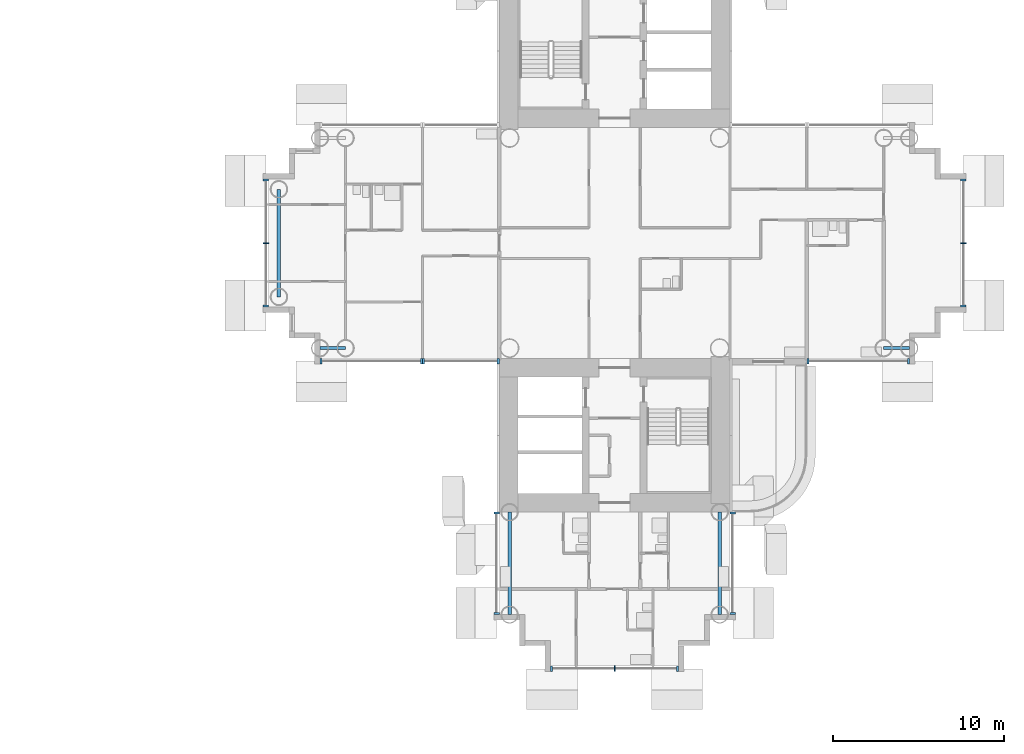
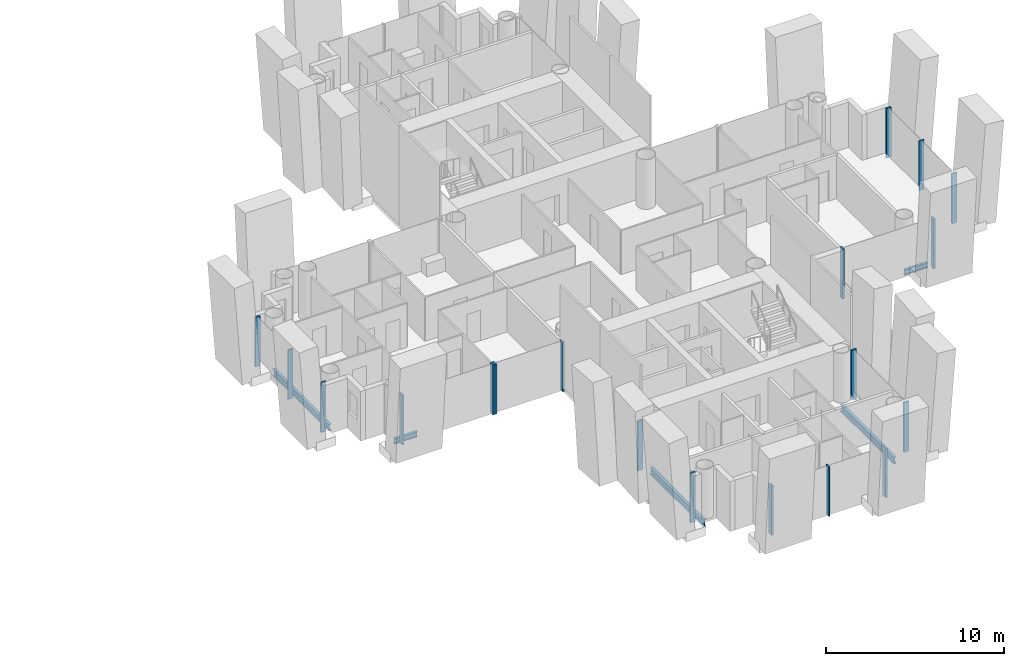
# One storey, part 6 of 25: 19 members, 5 beams, 8 elements without a shape of their own.
"""IFC4 building model written with IfcOpenShell, lengths in metres."""

import ifcopenshell
import ifcopenshell.guid

model = None  # the IFC model being written
_history = None  # IfcOwnerHistory: only IFC2X3 demands one
_inside = {}  # id of a spatial element -> (the spatial element, [elements in it])
_under = {}  # id of a project, library or spatial element -> (it, [spatial elements below it])
_declared = {}  # id of a project -> (the project, [libraries it declares])
_typed = {}  # id of a type object -> (the type object, [elements of that type])
_made_of = {}  # id of a material, layer set ... -> (it, [elements and type objects made of it])


def new_model(schema):
    """Start an empty IFC model of exactly this schema.

    Asked for "IFC4X3", IfcOpenShell would pick the latest addendum, in which some entities
    have other attributes; the version numbers below select the first issue.
    IFC2X3 requires an IfcOwnerHistory on every rooted entity: one is made here for all.
    """
    global model, _history
    if schema == "IFC4X3":
        model = ifcopenshell.file(schema_version=(4, 3, 0, 0))
    else:
        model = ifcopenshell.file(schema=schema)
    _inside.clear()
    _under.clear()
    _declared.clear()
    _typed.clear()
    _made_of.clear()
    _history = None
    if model.schema == "IFC2X3":
        org = make("IfcOrganization", Name="unknown")
        user = make(
            "IfcPersonAndOrganization",
            ThePerson=make("IfcPerson", FamilyName="unknown"),
            TheOrganization=org,
        )
        app = make(
            "IfcApplication",
            ApplicationDeveloper=org,
            Version="unknown",
            ApplicationFullName="unknown",
            ApplicationIdentifier="unknown",
        )
        _history = make(
            "IfcOwnerHistory",
            OwningUser=user,
            OwningApplication=app,
            ChangeAction="ADDED",
            CreationDate=0,
        )
    return model


def make(cls, **values):
    """One entity of the class cls with the attributes given. An attribute that is None is left unset."""
    return model.create_entity(
        cls, **{name: value for name, value in values.items() if value is not None}
    )


def rooted(cls, **values):
    """An entity with a GlobalId (a new one), such as an element, a storey or a relation."""
    return make(cls, GlobalId=ifcopenshell.guid.new(), OwnerHistory=_history, **values)


def si_unit(unit_type, name, prefix=None):
    """IfcSIUnit, for example si_unit("LENGTHUNIT", "METRE", prefix="MILLI")."""
    return make("IfcSIUnit", UnitType=unit_type, Prefix=prefix, Name=name)


def assignment(units):
    """IfcUnitAssignment: the units of a project."""
    return None if units is None else make("IfcUnitAssignment", Units=units)


def point(xyz):
    """IfcCartesianPoint."""
    return None if xyz is None else make("IfcCartesianPoint", Coordinates=xyz)


def direction(xyz):
    """IfcDirection."""
    return None if xyz is None else make("IfcDirection", DirectionRatios=xyz)


def frame(location, z_axis=None, x_axis=None):
    """IfcAxis2Placement3D, a coordinate frame: its origin and axes. An axis left out is left unset."""
    return make(
        "IfcAxis2Placement3D",
        Location=point(location),
        Axis=direction(z_axis),
        RefDirection=direction(x_axis),
    )


def frame_2d(location, x_axis=None):
    """IfcAxis2Placement2D, a coordinate frame in the plane: its origin and x axis."""
    return make(
        "IfcAxis2Placement2D", Location=point(location), RefDirection=direction(x_axis)
    )


def origin():
    """The frame at (0, 0, 0) with its axes left unset."""
    return frame((0.0, 0.0, 0.0))


def origin_2d():
    """The frame at (0, 0) in the plane with its x axis left unset."""
    return frame_2d((0.0, 0.0))


def place(relative_to, where):
    """IfcLocalPlacement: puts the frame where relative to a parent placement (None: the world)."""
    return make(
        "IfcLocalPlacement", PlacementRelTo=relative_to, RelativePlacement=where
    )


def context(
    kind, dimensions, precision=None, world=None, true_north=None, identifier=None
):
    """IfcGeometricRepresentationContext, for example the 3D "Model" context."""
    return make(
        "IfcGeometricRepresentationContext",
        ContextIdentifier=identifier,
        ContextType=kind,
        CoordinateSpaceDimension=dimensions,
        Precision=precision,
        WorldCoordinateSystem=world,
        TrueNorth=true_north,
    )


def subcontext(parent, identifier, kind, view, scale=None):
    """IfcGeometricRepresentationSubContext, for example "Body" below "Model"."""
    return make(
        "IfcGeometricRepresentationSubContext",
        ContextIdentifier=identifier,
        ContextType=kind,
        ParentContext=parent,
        TargetScale=scale,
        TargetView=view,
    )


def project(units=None, contexts=None):
    """IfcProject with its units and contexts."""
    return rooted(
        "IfcProject",
        Name="project",
        RepresentationContexts=contexts,
        UnitsInContext=assignment(units),
    )


def spatial(cls, under=None, at=None, **own):
    """A site, building, storey or space (cls), placed at a placement, below another one or the project."""
    s = rooted(cls, ObjectPlacement=at, **own)
    if under is not None:
        _under.setdefault(under.id(), (under, []))[1].append(s)
    return s


def profile(cls, at=None, kind="AREA", **sizes):
    """A parametric profile (cls). Its sizes go by their IFC names, for example OverallWidth=200.0."""
    return make(cls, ProfileType=kind, Position=at, **sizes)


def rectangle(**sizes):
    """IfcRectangleProfileDef."""
    return profile("IfcRectangleProfileDef", **sizes)


def i_section(**sizes):
    """IfcIShapeProfileDef."""
    return profile("IfcIShapeProfileDef", **sizes)


def extrude(swept, where, along, depth):
    """IfcExtrudedAreaSolid: the profile swept, set in the frame where, extruded along a direction by depth."""
    return make(
        "IfcExtrudedAreaSolid",
        SweptArea=swept,
        Position=where,
        ExtrudedDirection=direction(along),
        Depth=depth,
    )


def shape(context_of_items, identifier, shape_type, items):
    """IfcShapeRepresentation: the items that make up one representation, for example the "Body"."""
    return make(
        "IfcShapeRepresentation",
        ContextOfItems=context_of_items,
        RepresentationIdentifier=identifier,
        RepresentationType=shape_type,
        Items=items,
    )


def material(Name=None, Category=None):
    """IfcMaterial."""
    return make("IfcMaterial", Name=Name, Category=Category)


def layer(
    of_material, thickness, ventilated=None, Name=None, Category=None, Priority=None
):
    """IfcMaterialLayer: one layer of a wall or slab, of a material (None: an air gap)."""
    return make(
        "IfcMaterialLayer",
        Material=of_material,
        LayerThickness=thickness,
        IsVentilated=ventilated,
        Name=Name,
        Category=Category,
        Priority=Priority,
    )


def layer_set(layers, Name=None):
    """IfcMaterialLayerSet."""
    return make("IfcMaterialLayerSet", MaterialLayers=layers, LayerSetName=Name)


def material_profile(
    of_material, cross_section, Name=None, Category=None, Priority=None
):
    """IfcMaterialProfile: a cross section and its material."""
    return make(
        "IfcMaterialProfile",
        Name=Name,
        Material=of_material,
        Profile=cross_section,
        Priority=Priority,
        Category=Category,
    )


def profile_set(profiles, Name=None, composite=None):
    """IfcMaterialProfileSet."""
    return make(
        "IfcMaterialProfileSet",
        Name=Name,
        MaterialProfiles=profiles,
        CompositeProfile=composite,
    )


def made_of(thing, what):
    """Note that an element or type object is made of a material, layer set ...; save() writes the relation."""
    if what is not None:
        _made_of.setdefault(what.id(), (what, []))[1].append(thing)
    return thing


def type_object(cls, material=None, **own):
    """A type object (cls), such as IfcWallType, which elements share."""
    return made_of(rooted(cls, **own), material)


def element(
    cls,
    number,
    at=None,
    inside=None,
    cuts=None,
    type_object=None,
    material=None,
    context=None,
    identifier="Body",
    shape_type=None,
    held_by="IfcProductDefinitionShape",
    body=None,
    shapes=None,
    **own,
):
    """One element of the class cls, such as IfcWall. Its Tag is "e" and its number.

    at: its placement. inside: the storey or other place that contains it. cuts: it is an
    opening in that element (IfcRelVoidsElement). A single representation is given by context,
    identifier, shape_type and body (its items); several are given by shapes. held_by: the class
    of the entity that holds the representations. save() writes the other relations.
    """
    e = rooted(cls, Tag="e%d" % number, ObjectPlacement=at, **own)
    if body is not None:
        shapes = [shape(context, identifier, shape_type, body)]
    if shapes is not None:
        e.Representation = make(held_by, Representations=shapes)
    if inside is not None:
        _inside.setdefault(inside.id(), (inside, []))[1].append(e)
    if cuts is not None:
        rooted(
            "IfcRelVoidsElement", RelatingBuildingElement=cuts, RelatedOpeningElement=e
        )
    if type_object is not None:
        _typed.setdefault(type_object.id(), (type_object, []))[1].append(e)
    return made_of(e, material)


def aggregate(whole, parts):
    """IfcRelAggregates: a whole, such as a stair, and the parts it consists of."""
    return rooted("IfcRelAggregates", RelatingObject=whole, RelatedObjects=parts)


def save(model, path):
    """Write the relations noted so far, then the file.

    IfcRelAggregates (storeys below a building ...), IfcRelContainedInSpatialStructure (elements
    in a storey), IfcRelDefinesByType, IfcRelAssociatesMaterial and IfcRelDeclares: one each for
    every whole, place, type object, material and project.
    """
    for whole, parts in _under.values():
        aggregate(whole, parts)
    for where, things in _inside.values():
        rooted(
            "IfcRelContainedInSpatialStructure",
            RelatedElements=things,
            RelatingStructure=where,
        )
    for kind, things in _typed.values():
        rooted("IfcRelDefinesByType", RelatedObjects=things, RelatingType=kind)
    for what, things in _made_of.values():
        rooted("IfcRelAssociatesMaterial", RelatedObjects=things, RelatingMaterial=what)
    for by, libraries in _declared.values():
        rooted("IfcRelDeclares", RelatingContext=by, RelatedDefinitions=libraries)
    model.write(path)


model = new_model("IFC4")

# Units and contexts
model_context = context("Model", 3, precision=1e-05, world=origin(), true_north=direction((0.0, 1.0)))
body_context = subcontext(model_context, "Body", "Model", "MODEL_VIEW")
ifc_project = project(units=[si_unit("LENGTHUNIT", "METRE"), si_unit("AREAUNIT", "SQUARE_METRE"), si_unit("VOLUMEUNIT", "CUBIC_METRE"), si_unit("PLANEANGLEUNIT", "RADIAN"), si_unit("MASSUNIT", "GRAM", prefix="KILO")], contexts=[model_context])

# Site, building, storey
site_placement = place(None, origin())
site = spatial("IfcSite", under=ifc_project, at=site_placement, CompositionType="ELEMENT")
building_placement = place(site_placement, origin())
building = spatial("IfcBuilding", under=site, at=building_placement, Name="Ipe Terrace Towers", CompositionType="ELEMENT")
storey_placement = place(building_placement, frame((0.0, 0.0, 58.5)))
storey = spatial("IfcBuildingStorey", under=building, at=storey_placement, Name="L15", CompositionType="ELEMENT", Elevation=58.5)

# Beams
ifc_material_1 = material(Name="Steel S355", Category="steel")
ifc_material_profile_1 = material_profile(ifc_material_1, i_section(OverallWidth=0.175048828125, OverallDepth=0.35009765625, WebThickness=0.007080078125, FlangeThickness=0.010986328125, at=origin_2d()), Name="H-350x175x7x11")
ifc_profile_set_1 = profile_set([ifc_material_profile_1], Name="Steel S355")
beam_type_1 = type_object("IfcBeamType", Name="H04 EDGE BEAM H-350x175x7x11", PredefinedType="BEAM", material=ifc_profile_set_1)
for number, where, z_axis, x_axis, name in (
    (1, (20.25, -6.14990234375, -0.574951171875), (-1.0, 0.0, 0.0), (0.0, -1.0, 0.0), "Edge beam T2-EB-B04-B06"),
    (2, (51.75, -6.14990234375, -0.574951171875), (1.0, 0.0, 0.0), (0.0, 1.0, 0.0), "Edge beam T2-EB-D03-D05"),
):
    element("IfcBeam", number, at=place(storey_placement, frame(where, z_axis=z_axis, x_axis=x_axis)), inside=storey, type_object=beam_type_1, Name=name, PredefinedType="BEAM", context=body_context, shape_type="SweptSolid", body=[
        extrude(i_section(OverallWidth=0.175048828125, OverallDepth=0.35009765625, WebThickness=0.007080078125, FlangeThickness=0.010986328125, at=origin_2d()), origin(), (0.0, 0.0, 1.0), 1.5),
    ])
ifc_material_2 = material(Name="Steel S355", Category="steel")
ifc_material_profile_2 = material_profile(ifc_material_2, i_section(OverallWidth=0.199951171875, OverallDepth=0.449951171875, WebThickness=0.009033203125, FlangeThickness=0.013916015625, at=origin_2d()), Name="H-450x200x9x14")
ifc_profile_set_2 = profile_set([ifc_material_profile_2], Name="Steel S355")
beam_type_2 = type_object("IfcBeamType", Name="H08 EDGE BEAM H-450x200x9x14", PredefinedType="BEAM", material=ifc_profile_set_2)
beam_placement = place(storey_placement, frame((16.35009765625, 3.14990234375, -0.625), z_axis=(0.0, -1.0, 0.0), x_axis=(1.0, 0.0, 0.0)))
element("IfcBeam", 3, at=beam_placement, inside=storey, type_object=beam_type_2, Name="Edge beam T2-EB-B07-B08", PredefinedType="BEAM", context=body_context, shape_type="SweptSolid", body=[
    extrude(i_section(OverallWidth=0.199951171875, OverallDepth=0.449951171875, WebThickness=0.009033203125, FlangeThickness=0.013916015625, at=origin_2d()), origin(), (0.0, 0.0, 1.0), 6.2998046875),
])
for number, where, z_axis, x_axis, name in (
    (4, (42.14990234375, -15.75, -0.625), (0.0, -1.0, 0.0), (1.0, 0.0, 0.0), "Edge beam T2-EB-C01-C03"),
    (5, (29.85009765625, -15.75, -0.625), (0.0, -1.0, 0.0), (1.0, 0.0, 0.0), "Edge beam T2-EB-C02-C04"),
):
    element("IfcBeam", number, at=place(storey_placement, frame(where, z_axis=z_axis, x_axis=x_axis)), inside=storey, type_object=beam_type_2, Name=name, PredefinedType="BEAM", context=body_context, shape_type="SweptSolid", body=[
        extrude(i_section(OverallWidth=0.199951171875, OverallDepth=0.449951171875, WebThickness=0.009033203125, FlangeThickness=0.013916015625, at=origin_2d()), origin(), (0.0, 0.0, 1.0), 6.0),
    ])

# Curtain wall, members
ifc_material_3 = material(Name="Aluminium alloy 6063-T6", Category="aluminium")
ifc_layer = layer(ifc_material_3, 0.320068359375)
ifc_layer_set = layer_set([ifc_layer], Name="TOWER UNITISED CURTAIN WALL")
curtain_wall_type = type_object("IfcCurtainWallType", Name="TOWER UNITISED CURTAIN WALL", PredefinedType="NOTDEFINED", material=ifc_layer_set)
curtain_wall_1_placement = place(storey_placement, origin())
curtain_wall_1 = element("IfcCurtainWall", 6, at=curtain_wall_1_placement, inside=storey, type_object=curtain_wall_type, Name="T2-CW-L15-04a curtain wall", PredefinedType="NOTDEFINED")
ifc_material_4 = material(Name="Aluminium alloy 6063-T6", Category="aluminium")
ifc_material_profile_3 = material_profile(ifc_material_4, rectangle(XDim=0.320068359375, YDim=0.1201171875, at=origin_2d()), Name="TOWER UNITISED CORNER MULLION 320 x 120")
ifc_profile_set_3 = profile_set([ifc_material_profile_3], Name="Aluminium alloy 6063-T6")
member_type_1 = type_object("IfcMemberType", Name="TOWER UNITISED CORNER MULLION 320 x 120", PredefinedType="MULLION", material=ifc_profile_set_3)
member_1_placement = place(storey_placement, frame((42.909912109375, -21.68994140625, -0.300048828125), z_axis=(0.0, 0.0, 1.0), x_axis=(1.0, 0.0, 0.0)))
member_1 = element("IfcMember", 7, at=member_1_placement, type_object=member_type_1, Name="T2-CW-L15-04a mullion 1", PredefinedType="MULLION", context=body_context, shape_type="SweptSolid", body=[
    extrude(rectangle(XDim=0.320068359375, YDim=0.1201171875, at=origin_2d()), origin(), (0.0, 0.0, 1.0), 3.400146484375),
])
member_2_placement = place(storey_placement, frame((42.909912109375, -15.81103515625, -0.300048828125), z_axis=(0.0, 0.0, 1.0), x_axis=(1.0, 0.0, 0.0)))
member_2 = element("IfcMember", 8, at=member_2_placement, type_object=member_type_1, Name="T2-CW-L15-04a mullion 2", PredefinedType="MULLION", context=body_context, shape_type="SweptSolid", body=[
    extrude(rectangle(XDim=0.320068359375, YDim=0.1201171875, at=origin_2d()), origin(), (0.0, 0.0, 1.0), 3.400146484375),
])
aggregate(curtain_wall_1, [member_1, member_2])

curtain_wall_2_placement = place(storey_placement, origin())
curtain_wall_2 = element("IfcCurtainWall", 9, at=curtain_wall_2_placement, inside=storey, type_object=curtain_wall_type, Name="T2-CW-L15-07a curtain wall", PredefinedType="NOTDEFINED")
member_3_placement = place(storey_placement, frame((47.31005859375, -6.909912109375, -0.300048828125), z_axis=(0.0, 0.0, 1.0), x_axis=(0.0, -1.0, 0.0)))
member_3 = element("IfcMember", 10, at=member_3_placement, type_object=member_type_1, Name="T2-CW-L15-07a mullion 1", PredefinedType="MULLION", context=body_context, shape_type="SweptSolid", body=[
    extrude(rectangle(XDim=0.320068359375, YDim=0.1201171875, at=origin_2d()), origin(), (0.0, 0.0, 1.0), 3.400146484375),
])
member_4_placement = place(storey_placement, frame((53.18994140625, -6.909912109375, -0.300048828125), z_axis=(0.0, 0.0, 1.0), x_axis=(0.0, -1.0, 0.0)))
member_4 = element("IfcMember", 11, at=member_4_placement, type_object=member_type_1, Name="T2-CW-L15-07a mullion 2", PredefinedType="MULLION", context=body_context, shape_type="SweptSolid", body=[
    extrude(rectangle(XDim=0.320068359375, YDim=0.1201171875, at=origin_2d()), origin(), (0.0, 0.0, 1.0), 3.400146484375),
])
aggregate(curtain_wall_2, [member_3, member_4])

curtain_wall_3_placement = place(storey_placement, origin())
curtain_wall_3 = element("IfcCurtainWall", 12, at=curtain_wall_3_placement, inside=storey, type_object=curtain_wall_type, Name="T2-CW-L15-12a curtain wall", PredefinedType="NOTDEFINED")
member_5_placement = place(storey_placement, frame((56.409912109375, -3.68994140625, -0.300048828125), z_axis=(0.0, 0.0, 1.0), x_axis=(1.0, 0.0, 0.0)))
member_5 = element("IfcMember", 13, at=member_5_placement, type_object=member_type_1, Name="T2-CW-L15-12a mullion 1", PredefinedType="MULLION", context=body_context, shape_type="SweptSolid", body=[
    extrude(rectangle(XDim=0.320068359375, YDim=0.1201171875, at=origin_2d()), origin(), (0.0, 0.0, 1.0), 3.400146484375),
])
member_6_placement = place(storey_placement, frame((56.409912109375, 3.68994140625, -0.300048828125), z_axis=(0.0, 0.0, 1.0), x_axis=(1.0, 0.0, 0.0)))
member_6 = element("IfcMember", 14, at=member_6_placement, type_object=member_type_1, Name="T2-CW-L15-12a mullion 3", PredefinedType="MULLION", context=body_context, shape_type="SweptSolid", body=[
    extrude(rectangle(XDim=0.320068359375, YDim=0.1201171875, at=origin_2d()), origin(), (0.0, 0.0, 1.0), 3.400146484375),
])

curtain_wall_4_placement = place(storey_placement, origin())
curtain_wall_4 = element("IfcCurtainWall", 15, at=curtain_wall_4_placement, inside=storey, type_object=curtain_wall_type, Name="T2-CW-L15-38a curtain wall", PredefinedType="NOTDEFINED")
member_7_placement = place(storey_placement, frame((15.590087890625, 3.68994140625, -0.300048828125), z_axis=(0.0, 0.0, 1.0), x_axis=(-1.0, 0.0, 0.0)))
member_7 = element("IfcMember", 16, at=member_7_placement, type_object=member_type_1, Name="T2-CW-L15-38a mullion 1", PredefinedType="MULLION", context=body_context, shape_type="SweptSolid", body=[
    extrude(rectangle(XDim=0.320068359375, YDim=0.1201171875, at=origin_2d()), origin(), (0.0, 0.0, 1.0), 3.400146484375),
])
member_8_placement = place(storey_placement, frame((15.590087890625, -3.68994140625, -0.300048828125), z_axis=(0.0, 0.0, 1.0), x_axis=(-1.0, 0.0, 0.0)))
member_8 = element("IfcMember", 17, at=member_8_placement, type_object=member_type_1, Name="T2-CW-L15-38a mullion 3", PredefinedType="MULLION", context=body_context, shape_type="SweptSolid", body=[
    extrude(rectangle(XDim=0.320068359375, YDim=0.1201171875, at=origin_2d()), origin(), (0.0, 0.0, 1.0), 3.400146484375),
])

curtain_wall_5_placement = place(storey_placement, origin())
curtain_wall_5 = element("IfcCurtainWall", 18, at=curtain_wall_5_placement, inside=storey, type_object=curtain_wall_type, Name="T2-CW-L15-43a curtain wall", PredefinedType="NOTDEFINED")
member_9_placement = place(storey_placement, frame((18.81005859375, -6.909912109375, -0.300048828125), z_axis=(0.0, 0.0, 1.0), x_axis=(0.0, -1.0, 0.0)))
member_9 = element("IfcMember", 19, at=member_9_placement, type_object=member_type_1, Name="T2-CW-L15-43a mullion 1", PredefinedType="MULLION", context=body_context, shape_type="SweptSolid", body=[
    extrude(rectangle(XDim=0.320068359375, YDim=0.1201171875, at=origin_2d()), origin(), (0.0, 0.0, 1.0), 3.400146484375),
])
member_10_placement = place(storey_placement, frame((24.68994140625, -6.909912109375, -0.300048828125), z_axis=(0.0, 0.0, 1.0), x_axis=(0.0, -1.0, 0.0)))
member_10 = element("IfcMember", 20, at=member_10_placement, type_object=member_type_1, Name="T2-CW-L15-43a mullion 2", PredefinedType="MULLION", context=body_context, shape_type="SweptSolid", body=[
    extrude(rectangle(XDim=0.320068359375, YDim=0.1201171875, at=origin_2d()), origin(), (0.0, 0.0, 1.0), 3.400146484375),
])
aggregate(curtain_wall_5, [member_9, member_10])

curtain_wall_6_placement = place(storey_placement, origin())
curtain_wall_6 = element("IfcCurtainWall", 21, at=curtain_wall_6_placement, inside=storey, type_object=curtain_wall_type, Name="T2-CW-L15-44a curtain wall", PredefinedType="NOTDEFINED")
member_11_placement = place(storey_placement, frame((24.81005859375, -6.909912109375, -0.300048828125), z_axis=(0.0, 0.0, 1.0), x_axis=(0.0, -1.0, 0.0)))
member_11 = element("IfcMember", 22, at=member_11_placement, type_object=member_type_1, Name="T2-CW-L15-44a mullion 1", PredefinedType="MULLION", context=body_context, shape_type="SweptSolid", body=[
    extrude(rectangle(XDim=0.320068359375, YDim=0.1201171875, at=origin_2d()), origin(), (0.0, 0.0, 1.0), 3.400146484375),
])
member_12_placement = place(storey_placement, frame((29.18994140625, -6.909912109375, -0.300048828125), z_axis=(0.0, 0.0, 1.0), x_axis=(0.0, -1.0, 0.0)))
member_12 = element("IfcMember", 23, at=member_12_placement, type_object=member_type_1, Name="T2-CW-L15-44a mullion 2", PredefinedType="MULLION", context=body_context, shape_type="SweptSolid", body=[
    extrude(rectangle(XDim=0.320068359375, YDim=0.1201171875, at=origin_2d()), origin(), (0.0, 0.0, 1.0), 3.400146484375),
])
aggregate(curtain_wall_6, [member_11, member_12])

curtain_wall_7_placement = place(storey_placement, origin())
curtain_wall_7 = element("IfcCurtainWall", 24, at=curtain_wall_7_placement, inside=storey, type_object=curtain_wall_type, Name="T2-CW-L15-46b curtain wall", PredefinedType="NOTDEFINED")
member_13_placement = place(storey_placement, frame((29.090087890625, -15.81103515625, -0.300048828125), z_axis=(0.0, 0.0, 1.0), x_axis=(-1.0, 0.0, 0.0)))
member_13 = element("IfcMember", 25, at=member_13_placement, type_object=member_type_1, Name="T2-CW-L15-46b mullion 1", PredefinedType="MULLION", context=body_context, shape_type="SweptSolid", body=[
    extrude(rectangle(XDim=0.320068359375, YDim=0.1201171875, at=origin_2d()), origin(), (0.0, 0.0, 1.0), 3.400146484375),
])
member_14_placement = place(storey_placement, frame((29.090087890625, -21.68994140625, -0.300048828125), z_axis=(0.0, 0.0, 1.0), x_axis=(-1.0, 0.0, 0.0)))
member_14 = element("IfcMember", 26, at=member_14_placement, type_object=member_type_1, Name="T2-CW-L15-46b mullion 2", PredefinedType="MULLION", context=body_context, shape_type="SweptSolid", body=[
    extrude(rectangle(XDim=0.320068359375, YDim=0.1201171875, at=origin_2d()), origin(), (0.0, 0.0, 1.0), 3.400146484375),
])
aggregate(curtain_wall_7, [member_13, member_14])

curtain_wall_8_placement = place(storey_placement, origin())
curtain_wall_8 = element("IfcCurtainWall", 27, at=curtain_wall_8_placement, inside=storey, type_object=curtain_wall_type, Name="T2-CW-L15-51a curtain wall", PredefinedType="NOTDEFINED")
member_15_placement = place(storey_placement, frame((32.31005859375, -24.909912109375, -0.300048828125), z_axis=(0.0, 0.0, 1.0), x_axis=(0.0, -1.0, 0.0)))
member_15 = element("IfcMember", 28, at=member_15_placement, type_object=member_type_1, Name="T2-CW-L15-51a mullion 1", PredefinedType="MULLION", context=body_context, shape_type="SweptSolid", body=[
    extrude(rectangle(XDim=0.320068359375, YDim=0.1201171875, at=origin_2d()), origin(), (0.0, 0.0, 1.0), 3.400146484375),
])
member_16_placement = place(storey_placement, frame((39.68994140625, -24.909912109375, -0.300048828125), z_axis=(0.0, 0.0, 1.0), x_axis=(0.0, -1.0, 0.0)))
member_16 = element("IfcMember", 29, at=member_16_placement, type_object=member_type_1, Name="T2-CW-L15-51a mullion 3", PredefinedType="MULLION", context=body_context, shape_type="SweptSolid", body=[
    extrude(rectangle(XDim=0.320068359375, YDim=0.1201171875, at=origin_2d()), origin(), (0.0, 0.0, 1.0), 3.400146484375),
])

# Member
ifc_material_5 = material(Name="Aluminium alloy 6063-T6", Category="aluminium")
ifc_material_profile_4 = material_profile(ifc_material_5, rectangle(XDim=0.320068359375, YDim=0.06494140625, at=origin_2d()), Name="TOWER UNITISED MULLION 320 x 65")
ifc_profile_set_4 = profile_set([ifc_material_profile_4], Name="Aluminium alloy 6063-T6")
member_type_2 = type_object("IfcMemberType", Name="TOWER UNITISED MULLION 320 x 65", PredefinedType="MULLION", material=ifc_profile_set_4)
member_17_placement = place(storey_placement, frame((56.409912109375, 0.0, -0.300048828125), z_axis=(0.0, 0.0, 1.0), x_axis=(1.0, 0.0, 0.0)))
member_17 = element("IfcMember", 30, at=member_17_placement, type_object=member_type_2, Name="T2-CW-L15-12a mullion 2", PredefinedType="MULLION", context=body_context, shape_type="SweptSolid", body=[
    extrude(rectangle(XDim=0.320068359375, YDim=0.06494140625, at=origin_2d()), origin(), (0.0, 0.0, 1.0), 3.400146484375),
])

aggregate(curtain_wall_3, [member_5, member_17, member_6])

member_18_placement = place(storey_placement, frame((15.590087890625, 0.0, -0.300048828125), z_axis=(0.0, 0.0, 1.0), x_axis=(-1.0, 0.0, 0.0)))
member_18 = element("IfcMember", 31, at=member_18_placement, type_object=member_type_2, Name="T2-CW-L15-38a mullion 2", PredefinedType="MULLION", context=body_context, shape_type="SweptSolid", body=[
    extrude(rectangle(XDim=0.320068359375, YDim=0.06494140625, at=origin_2d()), origin(), (0.0, 0.0, 1.0), 3.400146484375),
])

aggregate(curtain_wall_4, [member_7, member_18, member_8])

member_19_placement = place(storey_placement, frame((36.0, -24.909912109375, -0.300048828125), z_axis=(0.0, 0.0, 1.0), x_axis=(0.0, -1.0, 0.0)))
member_19 = element("IfcMember", 32, at=member_19_placement, type_object=member_type_2, Name="T2-CW-L15-51a mullion 2", PredefinedType="MULLION", context=body_context, shape_type="SweptSolid", body=[
    extrude(rectangle(XDim=0.320068359375, YDim=0.06494140625, at=origin_2d()), origin(), (0.0, 0.0, 1.0), 3.400146484375),
])

aggregate(curtain_wall_8, [member_15, member_19, member_16])

save(model, "model.ifc")
